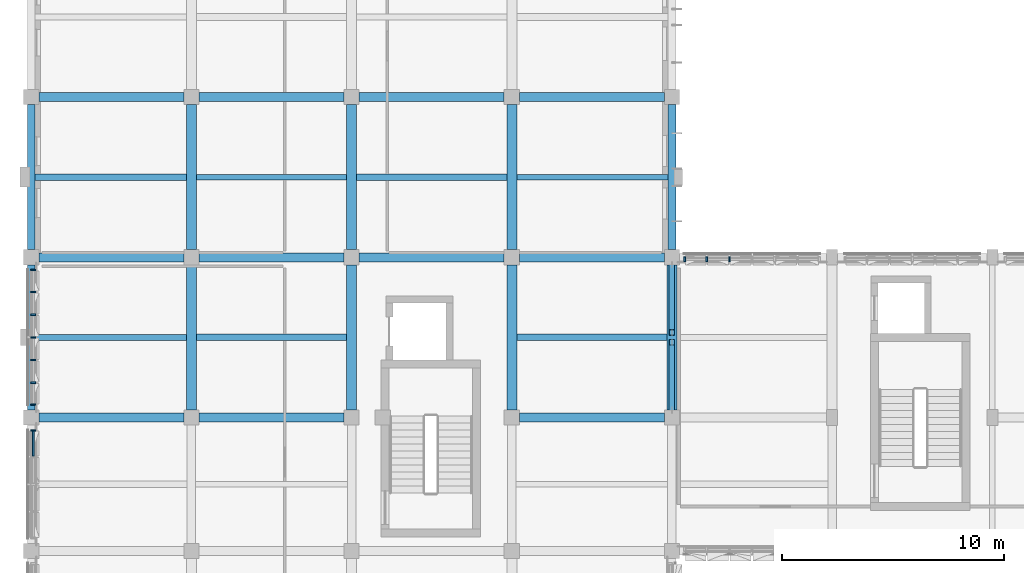
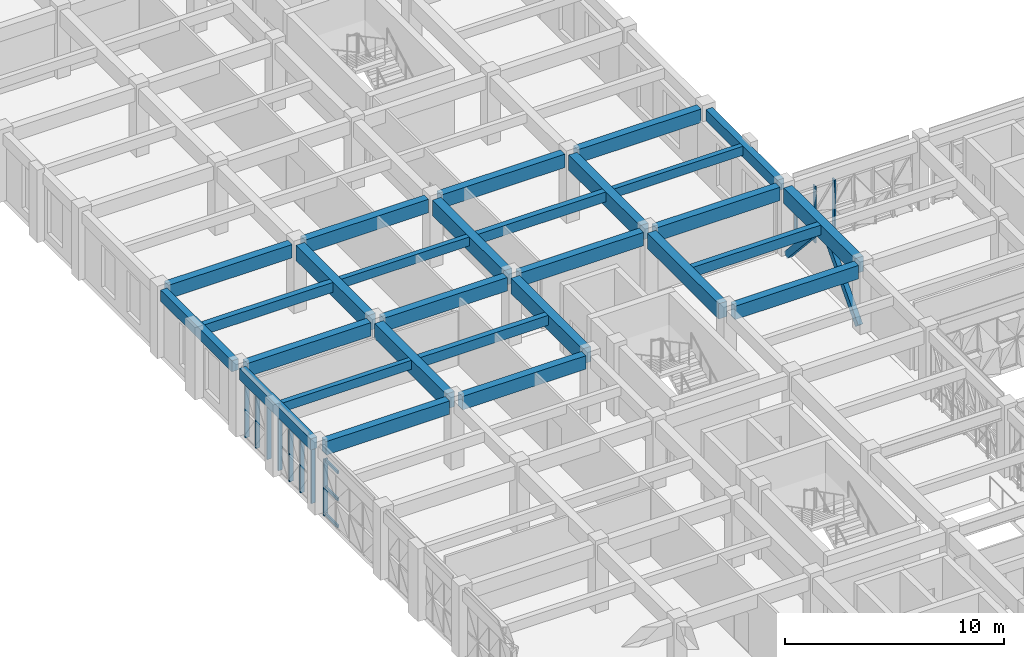
# One storey, part 8 of 88: 28 beams, 16 members, 3 elements without a shape of their own.
"""IFC4 building model written with IfcOpenShell, lengths in metres."""

from ifc_helpers import new_model, si_unit, direction, frame, origin, origin_2d, place, context, subcontext, project, spatial, rectangle, hollow_rectangle, extrude, material, material_profile, profile_set, type_object, element, aggregate, save


model = new_model("IFC4")

# Units and contexts
model_context = context("Model", 3, precision=1e-05, world=origin(), true_north=direction((0.0, 1.0)))
body_context = subcontext(model_context, "Body", "Model", "MODEL_VIEW")
ifc_project = project(units=[si_unit("LENGTHUNIT", "METRE"), si_unit("AREAUNIT", "SQUARE_METRE"), si_unit("VOLUMEUNIT", "CUBIC_METRE"), si_unit("PLANEANGLEUNIT", "RADIAN"), si_unit("MASSUNIT", "GRAM", prefix="KILO")], contexts=[model_context])

# Site, building, storey
site_placement = place(None, origin())
site = spatial("IfcSite", under=ifc_project, at=site_placement, CompositionType="ELEMENT")
building_placement = place(site_placement, origin())
building = spatial("IfcBuilding", under=site, at=building_placement, Name="Alvorim Cloister Faculty of Sciences", CompositionType="ELEMENT")
storey_placement = place(building_placement, frame((0.0, 0.0, 4.5)))
storey = spatial("IfcBuildingStorey", under=building, at=storey_placement, Name="L01", CompositionType="ELEMENT", Elevation=4.5)

# Beams
ifc_material_1 = material(Name="Concrete C40", Category="concrete")
ifc_material_profile_1 = material_profile(ifc_material_1, rectangle(XDim=0.260009765625, YDim=0.5, at=origin_2d()), Name="RC40-JST-260x500")
ifc_profile_set_1 = profile_set([ifc_material_profile_1], Name="Concrete C40")
beam_type_1 = type_object("IfcBeamType", Name="BM-JST-RC-260x500", PredefinedType="JOIST", material=ifc_profile_set_1)
beam_1_placement = place(storey_placement, frame((0.175048828125, 52.800048828125, 3.5400390625), z_axis=(1.0, 0.0, 0.0), x_axis=(0.0, 1.0, 0.0)))
element("IfcBeam", 1, at=beam_1_placement, inside=storey, type_object=beam_type_1, Name="L01 Secondary Floor Joist BM-1149", PredefinedType="JOIST", context=body_context, shape_type="SweptSolid", body=[
    extrude(rectangle(XDim=0.260009765625, YDim=0.5, at=origin_2d()), origin(), (0.0, 0.0, 1.0), 6.800048828125),
])
beam_2_placement = place(storey_placement, frame((7.425048828125, 60.0, 3.5400390625), z_axis=(1.0, 0.0, 0.0), x_axis=(0.0, 1.0, 0.0)))
element("IfcBeam", 2, at=beam_2_placement, inside=storey, type_object=beam_type_1, Name="L01 Secondary Floor Joist BM-1166", PredefinedType="JOIST", context=body_context, shape_type="SweptSolid", body=[
    extrude(rectangle(XDim=0.260009765625, YDim=0.5, at=origin_2d()), origin(), (0.0, 0.0, 1.0), 6.75),
])
beam_3_placement = place(storey_placement, frame((21.824951171875, 60.0, 3.5400390625), z_axis=(1.0, 0.0, 0.0), x_axis=(0.0, 1.0, 0.0)))
element("IfcBeam", 3, at=beam_3_placement, inside=storey, type_object=beam_type_1, Name="L01 Secondary Floor Joist BM-1190", PredefinedType="JOIST", context=body_context, shape_type="SweptSolid", body=[
    extrude(rectangle(XDim=0.260009765625, YDim=0.5, at=origin_2d()), origin(), (0.0, 0.0, 1.0), 6.800048828125),
])
ifc_material_profile_2 = material_profile(ifc_material_1, rectangle(XDim=0.300048828125, YDim=0.550048828125, at=origin_2d()), Name="RC40-JST-300x550")
ifc_profile_set_2 = profile_set([ifc_material_profile_2], Name="Concrete C40")
beam_type_2 = type_object("IfcBeamType", Name="BM-JST-RC-300x550", PredefinedType="JOIST", material=ifc_profile_set_2)
beam_4_placement = place(storey_placement, frame((0.175048828125, 60.0, 3.514892578125), z_axis=(1.0, 0.0, 0.0), x_axis=(0.0, 1.0, 0.0)))
element("IfcBeam", 4, at=beam_4_placement, inside=storey, type_object=beam_type_2, Name="L01 Secondary Floor Joist BM-1150", PredefinedType="JOIST", context=body_context, shape_type="SweptSolid", body=[
    extrude(rectangle(XDim=0.300048828125, YDim=0.550048828125, at=origin_2d()), origin(), (0.0, 0.0, 1.0), 6.800048828125),
])
for number, where, z_axis, x_axis, name in (
    (5, (7.425048828125, 52.800048828125, 3.514892578125), (1.0, 0.0, 0.0), (0.0, 1.0, 0.0), "L01 Secondary Floor Joist BM-1165"),
    (6, (14.625, 60.0, 3.514892578125), (1.0, 0.0, 0.0), (0.0, 1.0, 0.0), "L01 Secondary Floor Joist BM-1176"),
    (7, (21.824951171875, 52.800048828125, 3.514892578125), (1.0, 0.0, 0.0), (0.0, 1.0, 0.0), "L01 Secondary Floor Joist BM-1189"),
):
    element("IfcBeam", number, at=place(storey_placement, frame(where, z_axis=z_axis, x_axis=x_axis)), inside=storey, type_object=beam_type_2, Name=name, PredefinedType="JOIST", context=body_context, shape_type="SweptSolid", body=[
        extrude(rectangle(XDim=0.300048828125, YDim=0.550048828125, at=origin_2d()), origin(), (0.0, 0.0, 1.0), 6.75),
    ])
ifc_material_profile_3 = material_profile(ifc_material_1, rectangle(XDim=0.39990234375, YDim=0.75, at=origin_2d()), Name="RC40-BM-400x750")
ifc_profile_set_3 = profile_set([ifc_material_profile_3], Name="Concrete C40")
beam_type_3 = type_object("IfcBeamType", Name="BM-RC-400x750", PredefinedType="BEAM", material=ifc_profile_set_3)
for number, where, z_axis, x_axis, name in (
    (8, (0.340087890625, 49.199951171875, 3.4150390625), (1.0, 0.0, 0.0), (0.0, 1.0, 0.0), "L01 Primary Beam BM-0974"),
    (9, (7.5400390625, 49.199951171875, 3.4150390625), (1.0, 0.0, 0.0), (0.0, 1.0, 0.0), "L01 Primary Beam BM-0975"),
    (10, (21.93994140625, 49.199951171875, 3.4150390625), (1.0, 0.0, 0.0), (0.0, 1.0, 0.0), "L01 Primary Beam BM-0976"),
    (11, (0.340087890625, 56.39990234375, 3.4150390625), (1.0, 0.0, 0.0), (0.0, 1.0, 0.0), "L01 Primary Beam BM-0981"),
    (12, (7.5400390625, 56.39990234375, 3.4150390625), (1.0, 0.0, 0.0), (0.0, 1.0, 0.0), "L01 Primary Beam BM-0982"),
    (13, (14.739990234375, 56.39990234375, 3.4150390625), (1.0, 0.0, 0.0), (0.0, 1.0, 0.0), "L01 Primary Beam BM-0983"),
    (14, (21.93994140625, 56.39990234375, 3.4150390625), (1.0, 0.0, 0.0), (0.0, 1.0, 0.0), "L01 Primary Beam BM-0984"),
    (15, (0.340087890625, 63.60009765625, 3.4150390625), (1.0, 0.0, 0.0), (0.0, 1.0, 0.0), "L01 Primary Beam BM-0990"),
    (16, (7.5400390625, 63.60009765625, 3.4150390625), (1.0, 0.0, 0.0), (0.0, 1.0, 0.0), "L01 Primary Beam BM-0991"),
    (17, (14.739990234375, 63.60009765625, 3.4150390625), (1.0, 0.0, 0.0), (0.0, 1.0, 0.0), "L01 Primary Beam BM-0992"),
    (18, (21.93994140625, 63.60009765625, 3.4150390625), (1.0, 0.0, 0.0), (0.0, 1.0, 0.0), "L01 Primary Beam BM-0993"),
):
    element("IfcBeam", number, at=place(storey_placement, frame(where, z_axis=z_axis, x_axis=x_axis)), inside=storey, type_object=beam_type_3, Name=name, PredefinedType="BEAM", context=body_context, shape_type="SweptSolid", body=[
        extrude(rectangle(XDim=0.39990234375, YDim=0.75, at=origin_2d()), origin(), (0.0, 0.0, 1.0), 6.52001953125),
    ])
ifc_material_profile_4 = material_profile(ifc_material_1, rectangle(XDim=0.449951171875, YDim=0.85009765625, at=origin_2d()), Name="RC40-BM-450x850")
ifc_profile_set_4 = profile_set([ifc_material_profile_4], Name="Concrete C40")
beam_type_4 = type_object("IfcBeamType", Name="BM-RC-450x850", PredefinedType="BEAM", material=ifc_profile_set_4)
for number, where, z_axis, x_axis, name in (
    (19, (7.199951171875, 49.5400390625, 3.364990234375), (0.0, 1.0, 0.0), (-1.0, 0.0, 0.0), "L01 Primary Girder BM-1039"),
    (20, (7.199951171875, 56.739990234375, 3.364990234375), (0.0, 1.0, 0.0), (-1.0, 0.0, 0.0), "L01 Primary Girder BM-1040"),
    (21, (14.39990234375, 49.5400390625, 3.364990234375), (0.0, 1.0, 0.0), (-1.0, 0.0, 0.0), "L01 Primary Girder BM-1055"),
    (22, (14.39990234375, 56.739990234375, 3.364990234375), (0.0, 1.0, 0.0), (-1.0, 0.0, 0.0), "L01 Primary Girder BM-1056"),
    (23, (21.60009765625, 49.5400390625, 3.364990234375), (0.0, 1.0, 0.0), (-1.0, 0.0, 0.0), "L01 Primary Girder BM-1071"),
    (24, (21.60009765625, 56.739990234375, 3.364990234375), (0.0, 1.0, 0.0), (-1.0, 0.0, 0.0), "L01 Primary Girder BM-1072"),
    (25, (28.800048828125, 49.5400390625, 3.364990234375), (0.0, 1.0, 0.0), (-1.0, 0.0, 0.0), "L01 Primary Girder BM-1087"),
):
    element("IfcBeam", number, at=place(storey_placement, frame(where, z_axis=z_axis, x_axis=x_axis)), inside=storey, type_object=beam_type_4, Name=name, PredefinedType="BEAM", context=body_context, shape_type="SweptSolid", body=[
        extrude(rectangle(XDim=0.449951171875, YDim=0.85009765625, at=origin_2d()), origin(), (0.0, 0.0, 1.0), 6.52001953125),
    ])
ifc_material_profile_5 = material_profile(ifc_material_1, rectangle(XDim=0.35009765625, YDim=0.6201171875, at=origin_2d()), Name="RC40-SPD-350x620")
ifc_profile_set_5 = profile_set([ifc_material_profile_5], Name="Concrete C40")
beam_type_5 = type_object("IfcBeamType", Name="BM-SPD-RC-350x620", PredefinedType="SPANDREL", material=ifc_profile_set_5)
for number, where, z_axis, x_axis, name in (
    (26, (0.0, 49.5400390625, 3.47998046875), (0.0, 1.0, 0.0), (-1.0, 0.0, 0.0), "L01 Primary Girder BM-1023"),
    (27, (0.0, 56.739990234375, 3.47998046875), (0.0, 1.0, 0.0), (-1.0, 0.0, 0.0), "L01 Primary Girder BM-1024"),
    (28, (28.800048828125, 56.739990234375, 3.47998046875), (0.0, 1.0, 0.0), (-1.0, 0.0, 0.0), "L01 Primary Girder BM-1088"),
):
    element("IfcBeam", number, at=place(storey_placement, frame(where, z_axis=z_axis, x_axis=x_axis)), inside=storey, type_object=beam_type_5, Name=name, PredefinedType="SPANDREL", context=body_context, shape_type="SweptSolid", body=[
        extrude(rectangle(XDim=0.35009765625, YDim=0.6201171875, at=origin_2d()), origin(), (0.0, 0.0, 1.0), 6.52001953125),
    ])

# Curtain wall, member
ifc_material_2 = material(Name="Aluminium and Low-E Glass Curtain Wall", Category="aluminium")
curtain_wall_type_1 = type_object("IfcCurtainWallType", Name="CW-TRI-4920x3170", PredefinedType="USERDEFINED", material=ifc_material_2)
curtain_wall_1_placement = place(storey_placement, origin())
curtain_wall_1 = element("IfcCurtainWall", 29, at=curtain_wall_1_placement, inside=storey, type_object=curtain_wall_type_1, Name="L01 Diagonal Cassette Curtain Wall CW-0010", ObjectType="UNITISED CURTAIN WALL", PredefinedType="USERDEFINED")
ifc_material_3 = material(Name="Aluminium Alloy 6063-T6", Category="aluminium")
ifc_material_profile_6 = material_profile(ifc_material_3, rectangle(XDim=0.074951171875, YDim=0.219970703125, at=origin_2d()), Name="ALU-MUL-75x220")
ifc_profile_set_6 = profile_set([ifc_material_profile_6], Name="Aluminium Alloy 6063-T6")
member_type_1 = type_object("IfcMemberType", Name="CW-MUL-75x220", PredefinedType="MULLION", material=ifc_profile_set_6)
member_1_placement = place(storey_placement, frame((0.090087890625, 48.62255859375, 0.0), z_axis=(0.0, 0.0, 1.0), x_axis=(0.0, 1.0, 0.0)))
member_1 = element("IfcMember", 30, at=member_1_placement, type_object=member_type_1, Name="CW-0010 Mullion 5", PredefinedType="MULLION", context=body_context, shape_type="SweptSolid", body=[
    extrude(rectangle(XDim=0.074951171875, YDim=0.219970703125, at=origin_2d()), origin(), (0.0, 0.0, 1.0), 3.169921875),
])

# Curtain wall, members
curtain_wall_type_2 = type_object("IfcCurtainWallType", Name="CW-TRI-6120x3170", PredefinedType="USERDEFINED", material=ifc_material_2)
curtain_wall_2_placement = place(storey_placement, origin())
curtain_wall_2 = element("IfcCurtainWall", 31, at=curtain_wall_2_placement, inside=storey, type_object=curtain_wall_type_2, Name="L01 Diagonal Cassette Curtain Wall CW-0011", ObjectType="UNITISED CURTAIN WALL", PredefinedType="USERDEFINED")
member_2_placement = place(storey_placement, frame((0.090087890625, 49.777587890625, 0.0), z_axis=(0.0, 0.0, 1.0), x_axis=(0.0, 1.0, 0.0)))
member_2 = element("IfcMember", 32, at=member_2_placement, type_object=member_type_1, Name="CW-0011 Mullion 1", PredefinedType="MULLION", context=body_context, shape_type="SweptSolid", body=[
    extrude(rectangle(XDim=0.074951171875, YDim=0.219970703125, at=origin_2d()), origin(), (0.0, 0.0, 1.0), 3.169921875),
])
member_3_placement = place(storey_placement, frame((0.090087890625, 50.760009765625, 0.0), z_axis=(0.0, 0.0, 1.0), x_axis=(0.0, 1.0, 0.0)))
member_3 = element("IfcMember", 33, at=member_3_placement, type_object=member_type_1, Name="CW-0011 Mullion 2", PredefinedType="MULLION", context=body_context, shape_type="SweptSolid", body=[
    extrude(rectangle(XDim=0.074951171875, YDim=0.219970703125, at=origin_2d()), origin(), (0.0, 0.0, 1.0), 3.169921875),
])
member_4_placement = place(storey_placement, frame((0.090087890625, 51.780029296875, 0.0), z_axis=(0.0, 0.0, 1.0), x_axis=(0.0, 1.0, 0.0)))
member_4 = element("IfcMember", 34, at=member_4_placement, type_object=member_type_1, Name="CW-0011 Mullion 3", PredefinedType="MULLION", context=body_context, shape_type="SweptSolid", body=[
    extrude(rectangle(XDim=0.074951171875, YDim=0.219970703125, at=origin_2d()), origin(), (0.0, 0.0, 1.0), 3.169921875),
])
member_5_placement = place(storey_placement, frame((0.090087890625, 52.800048828125, 0.0), z_axis=(0.0, 0.0, 1.0), x_axis=(0.0, 1.0, 0.0)))
member_5 = element("IfcMember", 35, at=member_5_placement, type_object=member_type_1, Name="CW-0011 Mullion 4", PredefinedType="MULLION", context=body_context, shape_type="SweptSolid", body=[
    extrude(rectangle(XDim=0.074951171875, YDim=0.219970703125, at=origin_2d()), origin(), (0.0, 0.0, 1.0), 3.169921875),
])
member_6_placement = place(storey_placement, frame((0.090087890625, 53.820068359375, 0.0), z_axis=(0.0, 0.0, 1.0), x_axis=(0.0, 1.0, 0.0)))
member_6 = element("IfcMember", 36, at=member_6_placement, type_object=member_type_1, Name="CW-0011 Mullion 5", PredefinedType="MULLION", context=body_context, shape_type="SweptSolid", body=[
    extrude(rectangle(XDim=0.074951171875, YDim=0.219970703125, at=origin_2d()), origin(), (0.0, 0.0, 1.0), 3.169921875),
])
member_7_placement = place(storey_placement, frame((0.090087890625, 54.840087890625, 0.0), z_axis=(0.0, 0.0, 1.0), x_axis=(0.0, 1.0, 0.0)))
member_7 = element("IfcMember", 37, at=member_7_placement, type_object=member_type_1, Name="CW-0011 Mullion 6", PredefinedType="MULLION", context=body_context, shape_type="SweptSolid", body=[
    extrude(rectangle(XDim=0.074951171875, YDim=0.219970703125, at=origin_2d()), origin(), (0.0, 0.0, 1.0), 3.169921875),
])
member_8_placement = place(storey_placement, frame((0.090087890625, 55.822509765625, 0.0), z_axis=(0.0, 0.0, 1.0), x_axis=(0.0, 1.0, 0.0)))
member_8 = element("IfcMember", 38, at=member_8_placement, type_object=member_type_1, Name="CW-0011 Mullion 7", PredefinedType="MULLION", context=body_context, shape_type="SweptSolid", body=[
    extrude(rectangle(XDim=0.074951171875, YDim=0.219970703125, at=origin_2d()), origin(), (0.0, 0.0, 1.0), 3.169921875),
])
aggregate(curtain_wall_2, [member_2, member_3, member_4, member_5, member_6, member_7, member_8])

curtain_wall_3_placement = place(storey_placement, origin())
curtain_wall_3 = element("IfcCurtainWall", 39, at=curtain_wall_3_placement, inside=storey, type_object=curtain_wall_type_2, Name="L01 Diagonal Cassette Curtain Wall CW-0012", ObjectType="UNITISED CURTAIN WALL", PredefinedType="USERDEFINED")
member_9_placement = place(storey_placement, frame((29.37744140625, 56.31005859375, 0.0), z_axis=(0.0, 0.0, 1.0), x_axis=(1.0, 0.0, 0.0)))
member_9 = element("IfcMember", 40, at=member_9_placement, type_object=member_type_1, Name="CW-0012 Mullion 1", PredefinedType="MULLION", context=body_context, shape_type="SweptSolid", body=[
    extrude(rectangle(XDim=0.074951171875, YDim=0.219970703125, at=origin_2d()), origin(), (0.0, 0.0, 1.0), 3.169921875),
])
member_10_placement = place(storey_placement, frame((30.360107421875, 56.31005859375, 0.0), z_axis=(0.0, 0.0, 1.0), x_axis=(1.0, 0.0, 0.0)))
member_10 = element("IfcMember", 41, at=member_10_placement, type_object=member_type_1, Name="CW-0012 Mullion 2", PredefinedType="MULLION", context=body_context, shape_type="SweptSolid", body=[
    extrude(rectangle(XDim=0.074951171875, YDim=0.219970703125, at=origin_2d()), origin(), (0.0, 0.0, 1.0), 3.169921875),
])
member_11_placement = place(storey_placement, frame((31.3798828125, 56.31005859375, 0.0), z_axis=(0.0, 0.0, 1.0), x_axis=(1.0, 0.0, 0.0)))
member_11 = element("IfcMember", 42, at=member_11_placement, type_object=member_type_1, Name="CW-0012 Mullion 3", PredefinedType="MULLION", context=body_context, shape_type="SweptSolid", body=[
    extrude(rectangle(XDim=0.074951171875, YDim=0.219970703125, at=origin_2d()), origin(), (0.0, 0.0, 1.0), 3.169921875),
])
aggregate(curtain_wall_3, [member_9, member_10, member_11])

# Member
ifc_material_profile_7 = material_profile(ifc_material_3, rectangle(XDim=0.074951171875, YDim=0.159912109375, at=origin_2d()), Name="ALU-TRN-75x160")
ifc_profile_set_7 = profile_set([ifc_material_profile_7], Name="Aluminium Alloy 6063-T6")
member_type_2 = type_object("IfcMemberType", Name="CW-TRN-75x160", PredefinedType="USERDEFINED", material=ifc_profile_set_7)
member_12_placement = place(storey_placement, frame((0.090087890625, 47.467529296875, 0.080078125), z_axis=(0.0, 1.0, 0.0), x_axis=(-1.0, 0.0, 0.0)))
member_12 = element("IfcMember", 43, at=member_12_placement, type_object=member_type_2, Name="CW-0010 Transom 4.1", ObjectType="TRANSOM", PredefinedType="USERDEFINED", context=body_context, shape_type="SweptSolid", body=[
    extrude(rectangle(XDim=0.074951171875, YDim=0.159912109375, at=origin_2d()), origin(), (0.0, 0.0, 1.0), 1.117431640625),
])

member_13_placement = place(storey_placement, frame((0.090087890625, 47.467529296875, 1.5849609375), z_axis=(0.0, 1.0, 0.0), x_axis=(-1.0, 0.0, 0.0)))
member_13 = element("IfcMember", 44, at=member_13_placement, type_object=member_type_2, Name="CW-0010 Transom 4.2", ObjectType="TRANSOM", PredefinedType="USERDEFINED", context=body_context, shape_type="SweptSolid", body=[
    extrude(rectangle(XDim=0.074951171875, YDim=0.159912109375, at=origin_2d()), origin(), (0.0, 0.0, 1.0), 1.117431640625),
])

member_14_placement = place(storey_placement, frame((0.090087890625, 47.467529296875, 3.090087890625), z_axis=(0.0, 1.0, 0.0), x_axis=(-1.0, 0.0, 0.0)))
member_14 = element("IfcMember", 45, at=member_14_placement, type_object=member_type_2, Name="CW-0010 Transom 4.3", ObjectType="TRANSOM", PredefinedType="USERDEFINED", context=body_context, shape_type="SweptSolid", body=[
    extrude(rectangle(XDim=0.074951171875, YDim=0.159912109375, at=origin_2d()), origin(), (0.0, 0.0, 1.0), 1.117431640625),
])

aggregate(curtain_wall_1, [member_1, member_12, member_13, member_14])

# Members
ifc_material_4 = material(Name="Steel ASTM A572 Grade 50", Category="steel")
ifc_material_profile_8 = material_profile(ifc_material_4, hollow_rectangle(XDim=0.25, YDim=0.35009765625, WallThickness=0.012451171875, at=origin_2d()), Name="RHS350x250x12.5")
ifc_profile_set_8 = profile_set([ifc_material_profile_8], Name="Steel ASTM A572 Grade 50")
member_type_3 = type_object("IfcMemberType", Name="MB-BRC-RHS350", PredefinedType="BRACE", material=ifc_profile_set_8)
for number, where, z_axis, x_axis, name in (
    (46, (28.800048828125, 49.5400390625, 0.0), (0.0, 0.670370417328, 0.74202661918), (-1.0, 0.0, 0.0), "L01 Lateral Chevron Brace MB-0026"),
    (47, (28.800048828125, 56.06005859375, 0.0), (0.0, -0.670370417328, 0.74202661918), (1.0, 0.0, 0.0), "L01 Lateral Chevron Brace MB-0027"),
):
    element("IfcMember", number, at=place(storey_placement, frame(where, z_axis=z_axis, x_axis=x_axis)), inside=storey, type_object=member_type_3, Name=name, PredefinedType="BRACE", context=body_context, shape_type="SweptSolid", body=[
        extrude(hollow_rectangle(XDim=0.25, YDim=0.35009765625, WallThickness=0.012451171875, at=origin_2d()), origin(), (0.0, 0.0, 1.0), 4.534912109375),
    ])

save(model, "model.ifc")
